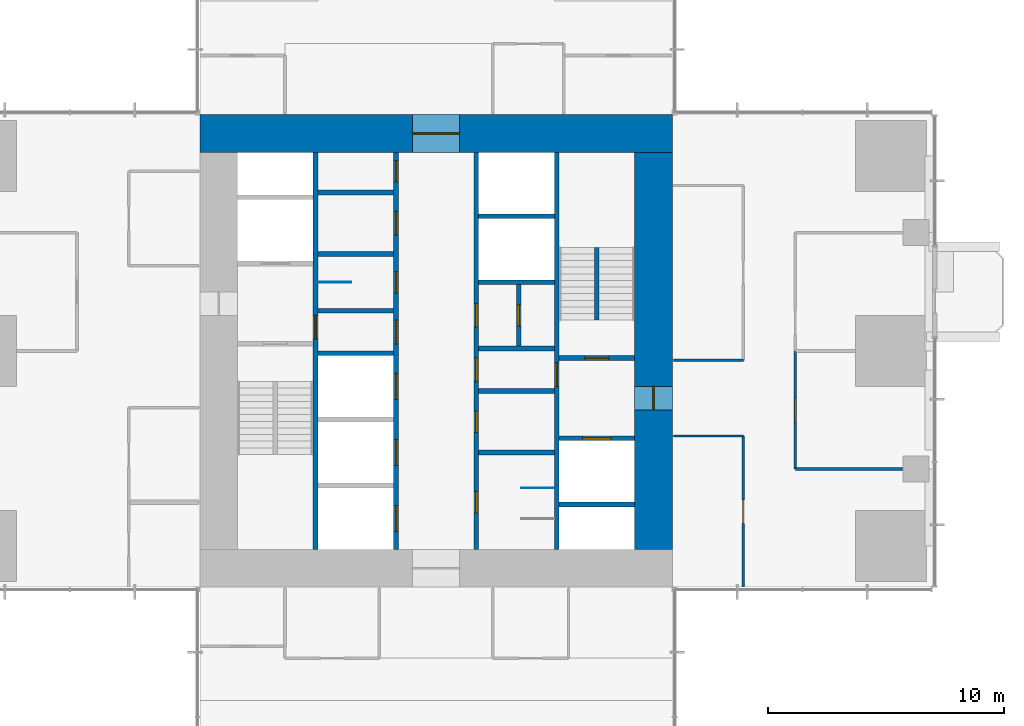
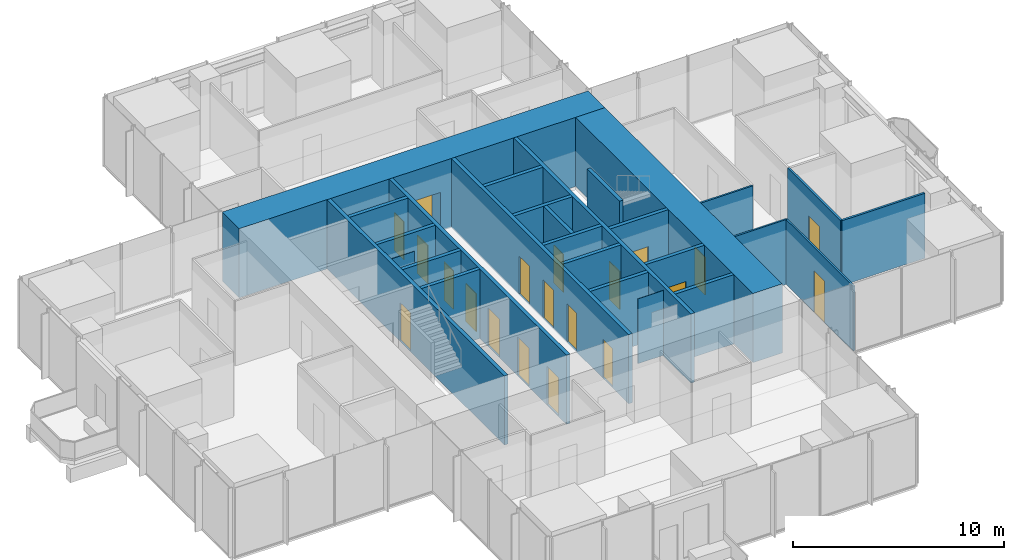
# One storey, part 9 of 13: 27 walls, 20 doors, 20 openings.
"""IFC4 building model written with IfcOpenShell, lengths in metres."""

from ifc_helpers import new_model, si_unit, direction, frame, frame_2d, origin, place, context, subcontext, project, spatial, rectangle, extrude, material, layer, layer_set, type_object, element, fill, save


model = new_model("IFC4")

# Units and contexts
model_context = context("Model", 3, precision=1e-05, world=origin(), true_north=direction((0.0, 1.0)))
body_context = subcontext(model_context, "Body", "Model", "MODEL_VIEW")
ifc_project = project(units=[si_unit("LENGTHUNIT", "METRE"), si_unit("AREAUNIT", "SQUARE_METRE"), si_unit("VOLUMEUNIT", "CUBIC_METRE"), si_unit("PLANEANGLEUNIT", "RADIAN"), si_unit("MASSUNIT", "GRAM", prefix="KILO")], contexts=[model_context])

# Site, building, storey
site_placement = place(None, origin())
site = spatial("IfcSite", under=ifc_project, at=site_placement, CompositionType="ELEMENT")
building_placement = place(site_placement, origin())
building = spatial("IfcBuilding", under=site, at=building_placement, Name="Svetlomir Tower", CompositionType="ELEMENT")
storey_placement = place(building_placement, frame((0.0, 0.0, 140.5)))
storey = spatial("IfcBuildingStorey", under=building, at=storey_placement, Name="L33", CompositionType="ELEMENT", Elevation=140.5)

# Wall, opening, door
ifc_material_1 = material(Name="Concrete C60/75", Category="concrete")
ifc_layer_1 = layer(ifc_material_1, 0.199951171875)
ifc_layer_set_1 = layer_set([ifc_layer_1], Name="Concrete C60/75")
wall_type_1 = type_object("IfcWallType", Name="CORE INNER WALL 200", PredefinedType="SHEAR", material=ifc_layer_set_1)
wall_1_placement = place(storey_placement, frame((15.89990234375, 12.60009765625, -0.050048828125), z_axis=(0.0, 0.0, 1.0), x_axis=(0.0, 1.0, 0.0)))
wall_1 = element("IfcWall", 1, at=wall_1_placement, inside=storey, type_object=wall_type_1, Name="Core inner wall 15.9 L33", PredefinedType="SHEAR", context=body_context, shape_type="SweptSolid", body=[
    extrude(rectangle(XDim=16.7998046875, YDim=0.199951171875, at=frame_2d((8.39990234375, 0.0))), origin(), (0.0, 0.0, 1.0), 4.0),
])
opening_1_placement = place(wall_1_placement, frame((8.89990234375, 0.0, 0.050048828125)))
opening_1 = element("IfcOpeningElement", 2, at=opening_1_placement, cuts=wall_1, Name="Opening DF", PredefinedType="OPENING", context=body_context, shape_type="SweptSolid", body=[
    extrude(rectangle(XDim=1.0, YDim=2.199951171875, at=frame_2d((0.5, 1.10009765625))), frame((0.0, 0.10986328125, 0.0), z_axis=(0.0, -1.0, 0.0), x_axis=(1.0, 0.0, 0.0)), (0.0, 0.0, 1.0), 0.219970703125),
])
ifc_material_2 = material(Name="Steel fire door", Category="steel")
door_type_1 = type_object("IfcDoorType", Name="DOOR DF 1000x2200", OperationType="SINGLE_SWING_LEFT", PredefinedType="DOOR", material=ifc_material_2)
door_1_placement = place(opening_1_placement, origin())
door_1 = element("IfcDoor", 3, at=door_1_placement, inside=storey, type_object=door_type_1, Name="Core corridor west door L33", OperationType="SINGLE_SWING_LEFT", OverallHeight=2.199951171875, OverallWidth=1.0, PredefinedType="DOOR", context=body_context, shape_type="SweptSolid", body=[
    extrude(rectangle(XDim=1.0, YDim=2.199951171875, at=frame_2d((0.5, 1.10009765625))), frame((0.0, 0.02490234375, 0.0), z_axis=(0.0, -1.0, 0.0), x_axis=(1.0, 0.0, 0.0)), (0.0, 0.0, 1.0), 0.050048828125),
])
fill(opening_1, door_1)

# Wall, openings, doors
wall_2_placement = place(storey_placement, frame((19.300048828125, 12.60009765625, -0.050048828125), z_axis=(0.0, 0.0, 1.0), x_axis=(0.0, 1.0, 0.0)))
wall_2 = element("IfcWall", 4, at=wall_2_placement, inside=storey, type_object=wall_type_1, Name="Core inner wall 19.3 L33", PredefinedType="SHEAR", context=body_context, shape_type="SweptSolid", body=[
    extrude(rectangle(XDim=16.7998046875, YDim=0.199951171875, at=frame_2d((8.39990234375, 0.0))), origin(), (0.0, 0.0, 1.0), 4.0),
])
opening_2_placement = place(wall_2_placement, frame((8.699951171875, 0.0, 0.050048828125)))
opening_2 = element("IfcOpeningElement", 5, at=opening_2_placement, cuts=wall_2, Name="Opening DC", PredefinedType="OPENING", context=body_context, shape_type="SweptSolid", body=[
    extrude(rectangle(XDim=1.0, YDim=2.199951171875, at=frame_2d((0.5, 1.10009765625))), frame((0.0, 0.10986328125, 0.0), z_axis=(0.0, -1.0, 0.0), x_axis=(1.0, 0.0, 0.0)), (0.0, 0.0, 1.0), 0.219970703125),
])
opening_3_placement = place(wall_2_placement, frame((10.85009765625, 0.0, 0.050048828125)))
opening_3 = element("IfcOpeningElement", 6, at=opening_3_placement, cuts=wall_2, Name="Opening DW", PredefinedType="OPENING", context=body_context, shape_type="SweptSolid", body=[
    extrude(rectangle(XDim=0.89990234375, YDim=2.199951171875, at=frame_2d((0.449951171875, 1.10009765625))), frame((0.0, 0.10986328125, 0.0), z_axis=(0.0, -1.0, 0.0), x_axis=(1.0, 0.0, 0.0)), (0.0, 0.0, 1.0), 0.219970703125),
])
opening_4_placement = place(wall_2_placement, frame((13.300048828125, 0.0, 0.050048828125)))
opening_4 = element("IfcOpeningElement", 7, at=opening_4_placement, cuts=wall_2, Name="Opening DC", PredefinedType="OPENING", context=body_context, shape_type="SweptSolid", body=[
    extrude(rectangle(XDim=1.0, YDim=2.199951171875, at=frame_2d((0.5, 1.10009765625))), frame((0.0, 0.10986328125, 0.0), z_axis=(0.0, -1.0, 0.0), x_axis=(1.0, 0.0, 0.0)), (0.0, 0.0, 1.0), 0.219970703125),
])
opening_5_placement = place(wall_2_placement, frame((15.550048828125, 0.0, 0.050048828125)))
opening_5 = element("IfcOpeningElement", 8, at=opening_5_placement, cuts=wall_2, Name="Opening DW", PredefinedType="OPENING", context=body_context, shape_type="SweptSolid", body=[
    extrude(rectangle(XDim=0.89990234375, YDim=2.199951171875, at=frame_2d((0.449951171875, 1.10009765625))), frame((0.0, 0.10986328125, 0.0), z_axis=(0.0, -1.0, 0.0), x_axis=(1.0, 0.0, 0.0)), (0.0, 0.0, 1.0), 0.219970703125),
])
opening_6_placement = place(wall_2_placement, frame((0.75, 0.0, 0.050048828125)))
opening_6 = element("IfcOpeningElement", 9, at=opening_6_placement, cuts=wall_2, Name="Opening LD", PredefinedType="OPENING", context=body_context, shape_type="SweptSolid", body=[
    extrude(rectangle(XDim=1.10009765625, YDim=2.199951171875, at=frame_2d((0.550048828125, 1.10009765625))), frame((0.0, 0.10986328125, 0.0), z_axis=(0.0, -1.0, 0.0), x_axis=(1.0, 0.0, 0.0)), (0.0, 0.0, 1.0), 0.219970703125),
])
opening_7_placement = place(wall_2_placement, frame((3.550048828125, 0.0, 0.050048828125)))
opening_7 = element("IfcOpeningElement", 10, at=opening_7_placement, cuts=wall_2, Name="Opening LD", PredefinedType="OPENING", context=body_context, shape_type="SweptSolid", body=[
    extrude(rectangle(XDim=1.10009765625, YDim=2.199951171875, at=frame_2d((0.550048828125, 1.10009765625))), frame((0.0, 0.10986328125, 0.0), z_axis=(0.0, -1.0, 0.0), x_axis=(1.0, 0.0, 0.0)), (0.0, 0.0, 1.0), 0.219970703125),
])
opening_8_placement = place(wall_2_placement, frame((6.35009765625, 0.0, 0.050048828125)))
opening_8 = element("IfcOpeningElement", 11, at=opening_8_placement, cuts=wall_2, Name="Opening LD", PredefinedType="OPENING", context=body_context, shape_type="SweptSolid", body=[
    extrude(rectangle(XDim=1.10009765625, YDim=2.199951171875, at=frame_2d((0.550048828125, 1.10009765625))), frame((0.0, 0.10986328125, 0.0), z_axis=(0.0, -1.0, 0.0), x_axis=(1.0, 0.0, 0.0)), (0.0, 0.0, 1.0), 0.219970703125),
])
ifc_material_3 = material(Name="Timber fire door", Category="wood")
door_type_2 = type_object("IfcDoorType", Name="DOOR DC 1000x2200", OperationType="SINGLE_SWING_LEFT", PredefinedType="DOOR", material=ifc_material_3)
door_2_placement = place(opening_2_placement, origin())
door_2 = element("IfcDoor", 12, at=door_2_placement, inside=storey, type_object=door_type_2, Name="Core corridor west lobby door L33", OperationType="SINGLE_SWING_LEFT", OverallHeight=2.199951171875, OverallWidth=1.0, PredefinedType="DOOR", context=body_context, shape_type="SweptSolid", body=[
    extrude(rectangle(XDim=1.0, YDim=2.199951171875, at=frame_2d((0.5, 1.10009765625))), frame((0.0, 0.02490234375, 0.0), z_axis=(0.0, -1.0, 0.0), x_axis=(1.0, 0.0, 0.0)), (0.0, 0.0, 1.0), 0.050048828125),
])
fill(opening_2, door_2)
door_3_placement = place(opening_4_placement, origin())
door_3 = element("IfcDoor", 13, at=door_3_placement, inside=storey, type_object=door_type_2, Name="Accessible WC door L33", OperationType="SINGLE_SWING_RIGHT", OverallHeight=2.199951171875, OverallWidth=1.0, PredefinedType="DOOR", context=body_context, shape_type="SweptSolid", body=[
    extrude(rectangle(XDim=1.0, YDim=2.199951171875, at=frame_2d((0.5, 1.10009765625))), frame((0.0, 0.02490234375, 0.0), z_axis=(0.0, -1.0, 0.0), x_axis=(1.0, 0.0, 0.0)), (0.0, 0.0, 1.0), 0.050048828125),
])
fill(opening_4, door_3)
ifc_material_4 = material(Name="Timber fire door", Category="wood")
door_type_3 = type_object("IfcDoorType", Name="DOOR DW 900x2200", OperationType="SINGLE_SWING_LEFT", PredefinedType="DOOR", material=ifc_material_4)
door_4_placement = place(opening_3_placement, origin())
door_4 = element("IfcDoor", 14, at=door_4_placement, inside=storey, type_object=door_type_3, Name="Female WC door L33", OperationType="SINGLE_SWING_LEFT", OverallHeight=2.199951171875, OverallWidth=0.89990234375, PredefinedType="DOOR", context=body_context, shape_type="SweptSolid", body=[
    extrude(rectangle(XDim=0.89990234375, YDim=2.199951171875, at=frame_2d((0.449951171875, 1.10009765625))), frame((0.0, 0.02490234375, 0.0), z_axis=(0.0, -1.0, 0.0), x_axis=(1.0, 0.0, 0.0)), (0.0, 0.0, 1.0), 0.050048828125),
])
fill(opening_3, door_4)
door_5_placement = place(opening_5_placement, origin())
door_5 = element("IfcDoor", 15, at=door_5_placement, inside=storey, type_object=door_type_3, Name="Tea point door L33", OperationType="SINGLE_SWING_LEFT", OverallHeight=2.199951171875, OverallWidth=0.89990234375, PredefinedType="DOOR", context=body_context, shape_type="SweptSolid", body=[
    extrude(rectangle(XDim=0.89990234375, YDim=2.199951171875, at=frame_2d((0.449951171875, 1.10009765625))), frame((0.0, 0.02490234375, 0.0), z_axis=(0.0, -1.0, 0.0), x_axis=(1.0, 0.0, 0.0)), (0.0, 0.0, 1.0), 0.050048828125),
])
fill(opening_5, door_5)
ifc_material_5 = material(Name="Stainless steel landing door", Category="steel")
door_type_4 = type_object("IfcDoorType", Name="LIFT LANDING DOOR LD 1100x2200", OperationType="DOUBLE_DOOR_SLIDING", PredefinedType="DOOR", material=ifc_material_5)
door_6_placement = place(opening_6_placement, origin())
door_6 = element("IfcDoor", 16, at=door_6_placement, inside=storey, type_object=door_type_4, Name="Landing door lift LB1 L33", OperationType="DOUBLE_DOOR_SLIDING", OverallHeight=2.199951171875, OverallWidth=1.10009765625, PredefinedType="DOOR", context=body_context, shape_type="SweptSolid", body=[
    extrude(rectangle(XDim=1.10009765625, YDim=2.199951171875, at=frame_2d((0.550048828125, 1.10009765625))), frame((0.0, 0.02490234375, 0.0), z_axis=(0.0, -1.0, 0.0), x_axis=(1.0, 0.0, 0.0)), (0.0, 0.0, 1.0), 0.050048828125),
])
fill(opening_6, door_6)
door_7_placement = place(opening_7_placement, origin())
door_7 = element("IfcDoor", 17, at=door_7_placement, inside=storey, type_object=door_type_4, Name="Landing door lift LB2 L33", OperationType="DOUBLE_DOOR_SLIDING", OverallHeight=2.199951171875, OverallWidth=1.10009765625, PredefinedType="DOOR", context=body_context, shape_type="SweptSolid", body=[
    extrude(rectangle(XDim=1.10009765625, YDim=2.199951171875, at=frame_2d((0.550048828125, 1.10009765625))), frame((0.0, 0.02490234375, 0.0), z_axis=(0.0, -1.0, 0.0), x_axis=(1.0, 0.0, 0.0)), (0.0, 0.0, 1.0), 0.050048828125),
])
fill(opening_7, door_7)
door_8_placement = place(opening_8_placement, origin())
door_8 = element("IfcDoor", 18, at=door_8_placement, inside=storey, type_object=door_type_4, Name="Landing door lift LB3 L33", OperationType="DOUBLE_DOOR_SLIDING", OverallHeight=2.199951171875, OverallWidth=1.10009765625, PredefinedType="DOOR", context=body_context, shape_type="SweptSolid", body=[
    extrude(rectangle(XDim=1.10009765625, YDim=2.199951171875, at=frame_2d((0.550048828125, 1.10009765625))), frame((0.0, 0.02490234375, 0.0), z_axis=(0.0, -1.0, 0.0), x_axis=(1.0, 0.0, 0.0)), (0.0, 0.0, 1.0), 0.050048828125),
])
fill(opening_8, door_8)

wall_3_placement = place(storey_placement, frame((22.699951171875, 12.60009765625, -0.050048828125), z_axis=(0.0, 0.0, 1.0), x_axis=(0.0, 1.0, 0.0)))
wall_3 = element("IfcWall", 19, at=wall_3_placement, inside=storey, type_object=wall_type_1, Name="Core inner wall 22.7 L33", PredefinedType="SHEAR", context=body_context, shape_type="SweptSolid", body=[
    extrude(rectangle(XDim=16.7998046875, YDim=0.199951171875, at=frame_2d((8.39990234375, 0.0))), origin(), (0.0, 0.0, 1.0), 4.0),
])
opening_9_placement = place(wall_3_placement, frame((7.10009765625, 0.0, 0.050048828125)))
opening_9 = element("IfcOpeningElement", 20, at=opening_9_placement, cuts=wall_3, Name="Opening DC", PredefinedType="OPENING", context=body_context, shape_type="SweptSolid", body=[
    extrude(rectangle(XDim=1.0, YDim=2.199951171875, at=frame_2d((0.5, 1.10009765625))), frame((0.0, 0.10986328125, 0.0), z_axis=(0.0, -1.0, 0.0), x_axis=(1.0, 0.0, 0.0)), (0.0, 0.0, 1.0), 0.219970703125),
])
opening_10_placement = place(wall_3_placement, frame((1.550048828125, 0.0, 0.050048828125)))
opening_10 = element("IfcOpeningElement", 21, at=opening_10_placement, cuts=wall_3, Name="Opening DW", PredefinedType="OPENING", context=body_context, shape_type="SweptSolid", body=[
    extrude(rectangle(XDim=0.89990234375, YDim=2.199951171875, at=frame_2d((0.449951171875, 1.10009765625))), frame((0.0, 0.10986328125, 0.0), z_axis=(0.0, -1.0, 0.0), x_axis=(1.0, 0.0, 0.0)), (0.0, 0.0, 1.0), 0.219970703125),
])
opening_11_placement = place(wall_3_placement, frame((4.949951171875, 0.0, 0.050048828125)))
opening_11 = element("IfcOpeningElement", 22, at=opening_11_placement, cuts=wall_3, Name="Opening DW", PredefinedType="OPENING", context=body_context, shape_type="SweptSolid", body=[
    extrude(rectangle(XDim=0.89990234375, YDim=2.199951171875, at=frame_2d((0.449951171875, 1.10009765625))), frame((0.0, 0.10986328125, 0.0), z_axis=(0.0, -1.0, 0.0), x_axis=(1.0, 0.0, 0.0)), (0.0, 0.0, 1.0), 0.219970703125),
])
opening_12_placement = place(wall_3_placement, frame((9.39990234375, 0.0, 0.050048828125)))
opening_12 = element("IfcOpeningElement", 23, at=opening_12_placement, cuts=wall_3, Name="Opening DC", PredefinedType="OPENING", context=body_context, shape_type="SweptSolid", body=[
    extrude(rectangle(XDim=1.0, YDim=2.199951171875, at=frame_2d((0.5, 1.10009765625))), frame((0.0, 0.10986328125, 0.0), z_axis=(0.0, -1.0, 0.0), x_axis=(1.0, 0.0, 0.0)), (0.0, 0.0, 1.0), 0.219970703125),
])
door_9_placement = place(opening_9_placement, origin())
door_9 = element("IfcDoor", 24, at=door_9_placement, inside=storey, type_object=door_type_2, Name="Core corridor east lobby door L33", OperationType="SINGLE_SWING_RIGHT", OverallHeight=2.199951171875, OverallWidth=1.0, PredefinedType="DOOR", context=body_context, shape_type="SweptSolid", body=[
    extrude(rectangle(XDim=1.0, YDim=2.199951171875, at=frame_2d((0.5, 1.10009765625))), frame((0.0, 0.02490234375, 0.0), z_axis=(0.0, -1.0, 0.0), x_axis=(1.0, 0.0, 0.0)), (0.0, 0.0, 1.0), 0.050048828125),
])
fill(opening_9, door_9)
door_10_placement = place(opening_12_placement, origin())
door_10 = element("IfcDoor", 25, at=door_10_placement, inside=storey, type_object=door_type_2, Name="Converted shaft BANK-E1 room door L33", OperationType="SINGLE_SWING_RIGHT", OverallHeight=2.199951171875, OverallWidth=1.0, PredefinedType="DOOR", context=body_context, shape_type="SweptSolid", body=[
    extrude(rectangle(XDim=1.0, YDim=2.199951171875, at=frame_2d((0.5, 1.10009765625))), frame((0.0, 0.02490234375, 0.0), z_axis=(0.0, -1.0, 0.0), x_axis=(1.0, 0.0, 0.0)), (0.0, 0.0, 1.0), 0.050048828125),
])
fill(opening_12, door_10)
door_11_placement = place(opening_10_placement, origin())
door_11 = element("IfcDoor", 26, at=door_11_placement, inside=storey, type_object=door_type_3, Name="Male WC door L33", OperationType="SINGLE_SWING_RIGHT", OverallHeight=2.199951171875, OverallWidth=0.89990234375, PredefinedType="DOOR", context=body_context, shape_type="SweptSolid", body=[
    extrude(rectangle(XDim=0.89990234375, YDim=2.199951171875, at=frame_2d((0.449951171875, 1.10009765625))), frame((0.0, 0.02490234375, 0.0), z_axis=(0.0, -1.0, 0.0), x_axis=(1.0, 0.0, 0.0)), (0.0, 0.0, 1.0), 0.050048828125),
])
fill(opening_10, door_11)
door_12_placement = place(opening_11_placement, origin())
door_12 = element("IfcDoor", 27, at=door_12_placement, inside=storey, type_object=door_type_3, Name="Comms room door L33", OperationType="SINGLE_SWING_LEFT", OverallHeight=2.199951171875, OverallWidth=0.89990234375, PredefinedType="DOOR", context=body_context, shape_type="SweptSolid", body=[
    extrude(rectangle(XDim=0.89990234375, YDim=2.199951171875, at=frame_2d((0.449951171875, 1.10009765625))), frame((0.0, 0.02490234375, 0.0), z_axis=(0.0, -1.0, 0.0), x_axis=(1.0, 0.0, 0.0)), (0.0, 0.0, 1.0), 0.050048828125),
])
fill(opening_11, door_12)

# Wall, opening, door
wall_4_placement = place(storey_placement, frame((26.10009765625, 12.60009765625, -0.050048828125), z_axis=(0.0, 0.0, 1.0), x_axis=(0.0, 1.0, 0.0)))
wall_4 = element("IfcWall", 28, at=wall_4_placement, inside=storey, type_object=wall_type_1, Name="Core inner wall 26.1 L33", PredefinedType="SHEAR", context=body_context, shape_type="SweptSolid", body=[
    extrude(rectangle(XDim=16.7998046875, YDim=0.199951171875, at=frame_2d((8.39990234375, 0.0))), origin(), (0.0, 0.0, 1.0), 4.0),
])
opening_13_placement = place(wall_4_placement, frame((6.89990234375, 0.0, 0.050048828125)))
opening_13 = element("IfcOpeningElement", 29, at=opening_13_placement, cuts=wall_4, Name="Opening DF", PredefinedType="OPENING", context=body_context, shape_type="SweptSolid", body=[
    extrude(rectangle(XDim=1.0, YDim=2.199951171875, at=frame_2d((0.5, 1.10009765625))), frame((0.0, 0.10986328125, 0.0), z_axis=(0.0, -1.0, 0.0), x_axis=(1.0, 0.0, 0.0)), (0.0, 0.0, 1.0), 0.219970703125),
])
door_13_placement = place(opening_13_placement, origin())
door_13 = element("IfcDoor", 30, at=door_13_placement, inside=storey, type_object=door_type_1, Name="Core corridor east door L33", OperationType="SINGLE_SWING_LEFT", OverallHeight=2.199951171875, OverallWidth=1.0, PredefinedType="DOOR", context=body_context, shape_type="SweptSolid", body=[
    extrude(rectangle(XDim=1.0, YDim=2.199951171875, at=frame_2d((0.5, 1.10009765625))), frame((0.0, 0.02490234375, 0.0), z_axis=(0.0, -1.0, 0.0), x_axis=(1.0, 0.0, 0.0)), (0.0, 0.0, 1.0), 0.050048828125),
])
fill(opening_13, door_13)

# Walls
for number, where, z_axis, x_axis, name in (
    (31, (16.0, 20.89990234375, -0.050048828125), (0.0, 0.0, 1.0), (1.0, 0.0, 0.0), "Core inner wall 16-19.2/20.9 L33"),
    (32, (16.0, 22.699951171875, -0.050048828125), (0.0, 0.0, 1.0), (1.0, 0.0, 0.0), "Core inner wall 16-19.2/22.7 L33"),
    (33, (16.0, 25.10009765625, -0.050048828125), (0.0, 0.0, 1.0), (1.0, 0.0, 0.0), "Core inner wall 16-19.2/25.1 L33"),
    (34, (16.0, 27.699951171875, -0.050048828125), (0.0, 0.0, 1.0), (1.0, 0.0, 0.0), "Core inner wall 16-19.2/27.7 L33"),
    (35, (22.800048828125, 16.699951171875, -0.050048828125), (0.0, 0.0, 1.0), (1.0, 0.0, 0.0), "Core inner wall 22.8-26/16.7 L33"),
    (36, (22.800048828125, 19.300048828125, -0.050048828125), (0.0, 0.0, 1.0), (1.0, 0.0, 0.0), "Core inner wall 22.8-26/19.3 L33"),
    (37, (22.800048828125, 21.10009765625, -0.050048828125), (0.0, 0.0, 1.0), (1.0, 0.0, 0.0), "Core inner wall 22.8-26/21.1 L33"),
    (38, (22.800048828125, 23.89990234375, -0.050048828125), (0.0, 0.0, 1.0), (1.0, 0.0, 0.0), "Core inner wall 22.8-26/23.9 L33"),
    (39, (22.800048828125, 26.699951171875, -0.050048828125), (0.0, 0.0, 1.0), (1.0, 0.0, 0.0), "Core inner wall 22.8-26/26.7 L33"),
    (40, (26.199951171875, 14.5, -0.050048828125), (0.0, 0.0, 1.0), (1.0, 0.0, 0.0), "Core inner wall 26.2-29.4/14.5 L33"),
):
    element("IfcWall", number, at=place(storey_placement, frame(where, z_axis=z_axis, x_axis=x_axis)), inside=storey, type_object=wall_type_1, Name=name, PredefinedType="SHEAR", context=body_context, shape_type="SweptSolid", body=[
        extrude(rectangle(XDim=3.199951171875, YDim=0.199951171875, at=frame_2d((1.60009765625, 0.0))), origin(), (0.0, 0.0, 1.0), 4.0),
    ])

# Wall, opening, door
wall_5_placement = place(storey_placement, frame((26.199951171875, 17.300048828125, -0.050048828125), z_axis=(0.0, 0.0, 1.0), x_axis=(1.0, 0.0, 0.0)))
wall_5 = element("IfcWall", 41, at=wall_5_placement, inside=storey, type_object=wall_type_1, Name="Core inner wall 26.2-29.4/17.3 L33", PredefinedType="SHEAR", context=body_context, shape_type="SweptSolid", body=[
    extrude(rectangle(XDim=3.199951171875, YDim=0.199951171875, at=frame_2d((1.60009765625, 0.0))), origin(), (0.0, 0.0, 1.0), 4.0),
])
opening_14_placement = place(wall_5_placement, frame((1.0, 0.0, 0.050048828125)))
opening_14 = element("IfcOpeningElement", 42, at=opening_14_placement, cuts=wall_5, Name="Opening LD3", PredefinedType="OPENING", context=body_context, shape_type="SweptSolid", body=[
    extrude(rectangle(XDim=1.199951171875, YDim=2.199951171875, at=frame_2d((0.60009765625, 1.10009765625))), frame((0.0, 0.10986328125, 0.0), z_axis=(0.0, -1.0, 0.0), x_axis=(1.0, 0.0, 0.0)), (0.0, 0.0, 1.0), 0.219970703125),
])
ifc_material_6 = material(Name="Stainless steel fire-rated landing door", Category="steel")
door_type_5 = type_object("IfcDoorType", Name="FIREFIGHTING LIFT LANDING DOOR LD3 1200x2200", OperationType="DOUBLE_DOOR_SLIDING", PredefinedType="DOOR", material=ifc_material_6)
door_14_placement = place(opening_14_placement, origin())
door_14 = element("IfcDoor", 43, at=door_14_placement, inside=storey, type_object=door_type_5, Name="Landing door lift FL2 L33", OperationType="DOUBLE_DOOR_SLIDING", OverallHeight=2.199951171875, OverallWidth=1.199951171875, PredefinedType="DOOR", context=body_context, shape_type="SweptSolid", body=[
    extrude(rectangle(XDim=1.199951171875, YDim=2.199951171875, at=frame_2d((0.60009765625, 1.10009765625))), frame((0.0, 0.02490234375, 0.0), z_axis=(0.0, -1.0, 0.0), x_axis=(1.0, 0.0, 0.0)), (0.0, 0.0, 1.0), 0.050048828125),
])
fill(opening_14, door_14)

wall_6_placement = place(storey_placement, frame((26.199951171875, 20.699951171875, -0.050048828125), z_axis=(0.0, 0.0, 1.0), x_axis=(1.0, 0.0, 0.0)))
wall_6 = element("IfcWall", 44, at=wall_6_placement, inside=storey, type_object=wall_type_1, Name="Core inner wall 26.2-29.4/20.7 L33", PredefinedType="SHEAR", context=body_context, shape_type="SweptSolid", body=[
    extrude(rectangle(XDim=3.199951171875, YDim=0.199951171875, at=frame_2d((1.60009765625, 0.0))), origin(), (0.0, 0.0, 1.0), 4.0),
])
opening_15_placement = place(wall_6_placement, frame((1.10009765625, 0.0, 0.050048828125)))
opening_15 = element("IfcOpeningElement", 45, at=opening_15_placement, cuts=wall_6, Name="Opening DF", PredefinedType="OPENING", context=body_context, shape_type="SweptSolid", body=[
    extrude(rectangle(XDim=1.0, YDim=2.199951171875, at=frame_2d((0.5, 1.10009765625))), frame((0.0, 0.10986328125, 0.0), z_axis=(0.0, -1.0, 0.0), x_axis=(1.0, 0.0, 0.0)), (0.0, 0.0, 1.0), 0.219970703125),
])
door_15_placement = place(opening_15_placement, origin())
door_15 = element("IfcDoor", 46, at=door_15_placement, inside=storey, type_object=door_type_1, Name="Stair S2 door L33", OperationType="SINGLE_SWING_RIGHT", OverallHeight=2.199951171875, OverallWidth=1.0, PredefinedType="DOOR", context=body_context, shape_type="SweptSolid", body=[
    extrude(rectangle(XDim=1.0, YDim=2.199951171875, at=frame_2d((0.5, 1.10009765625))), frame((0.0, 0.02490234375, 0.0), z_axis=(0.0, -1.0, 0.0), x_axis=(1.0, 0.0, 0.0)), (0.0, 0.0, 1.0), 0.050048828125),
])
fill(opening_15, door_15)

wall_7_placement = place(storey_placement, frame((24.5, 21.199951171875, -0.050048828125), z_axis=(0.0, 0.0, 1.0), x_axis=(0.0, 1.0, 0.0)))
wall_7 = element("IfcWall", 47, at=wall_7_placement, inside=storey, type_object=wall_type_1, Name="Core inner wall 24.5/21.2-23.8 L33", PredefinedType="SHEAR", context=body_context, shape_type="SweptSolid", body=[
    extrude(rectangle(XDim=2.60009765625, YDim=0.199951171875, at=frame_2d((1.300048828125, 0.0))), origin(), (0.0, 0.0, 1.0), 4.0),
])
opening_16_placement = place(wall_7_placement, frame((0.85009765625, 0.0, 0.050048828125)))
opening_16 = element("IfcOpeningElement", 48, at=opening_16_placement, cuts=wall_7, Name="Opening DW", PredefinedType="OPENING", context=body_context, shape_type="SweptSolid", body=[
    extrude(rectangle(XDim=0.89990234375, YDim=2.199951171875, at=frame_2d((0.449951171875, 1.10009765625))), frame((0.0, 0.10986328125, 0.0), z_axis=(0.0, -1.0, 0.0), x_axis=(1.0, 0.0, 0.0)), (0.0, 0.0, 1.0), 0.219970703125),
])
door_16_placement = place(opening_16_placement, origin())
door_16 = element("IfcDoor", 49, at=door_16_placement, inside=storey, type_object=door_type_3, Name="Converted shaft BANK-E1 back room door L33", OperationType="SINGLE_SWING_LEFT", OverallHeight=2.199951171875, OverallWidth=0.89990234375, PredefinedType="DOOR", context=body_context, shape_type="SweptSolid", body=[
    extrude(rectangle(XDim=0.89990234375, YDim=2.199951171875, at=frame_2d((0.449951171875, 1.10009765625))), frame((0.0, 0.02490234375, 0.0), z_axis=(0.0, -1.0, 0.0), x_axis=(1.0, 0.0, 0.0)), (0.0, 0.0, 1.0), 0.050048828125),
])
fill(opening_16, door_16)

ifc_material_7 = material(Name="Concrete C60/75", Category="concrete")
ifc_layer_2 = layer(ifc_material_7, 1.60009765625)
ifc_layer_set_2 = layer_set([ifc_layer_2], Name="Concrete C60/75")
wall_type_2 = type_object("IfcWallType", Name="CORE WALL 1600", PredefinedType="SHEAR", material=ifc_layer_set_2)
wall_8_placement = place(storey_placement, frame((11.0, 30.199951171875, -0.050048828125), z_axis=(0.0, 0.0, 1.0), x_axis=(1.0, 0.0, 0.0)))
wall_8 = element("IfcWall", 50, at=wall_8_placement, inside=storey, type_object=wall_type_2, Name="Core wall north L33", PredefinedType="SHEAR", context=body_context, shape_type="SweptSolid", body=[
    extrude(rectangle(XDim=20.0, YDim=1.60009765625, at=frame_2d((10.0, 0.0))), origin(), (0.0, 0.0, 1.0), 4.0),
])
opening_17_placement = place(wall_8_placement, frame((9.0, 0.0, 0.050048828125)))
opening_17 = element("IfcOpeningElement", 51, at=opening_17_placement, cuts=wall_8, Name="Opening DL", PredefinedType="OPENING", context=body_context, shape_type="SweptSolid", body=[
    extrude(rectangle(XDim=2.0, YDim=2.199951171875, at=frame_2d((1.0, 1.10009765625))), frame((0.0, 0.81005859375, 0.0), z_axis=(0.0, -1.0, 0.0), x_axis=(1.0, 0.0, 0.0)), (0.0, 0.0, 1.0), 1.6201171875),
])
ifc_material_8 = material(Name="Steel fire door", Category="steel")
door_type_6 = type_object("IfcDoorType", Name="DOOR DL 2000x2200", OperationType="DOUBLE_DOOR_SINGLE_SWING", PredefinedType="DOOR", material=ifc_material_8)
door_17_placement = place(opening_17_placement, origin())
door_17 = element("IfcDoor", 52, at=door_17_placement, inside=storey, type_object=door_type_6, Name="Lift lobby north door L33", OperationType="DOUBLE_DOOR_SINGLE_SWING", OverallHeight=2.199951171875, OverallWidth=2.0, PredefinedType="DOOR", context=body_context, shape_type="SweptSolid", body=[
    extrude(rectangle(XDim=2.0, YDim=2.199951171875, at=frame_2d((1.0, 1.10009765625))), frame((0.0, 0.02490234375, 0.0), z_axis=(0.0, -1.0, 0.0), x_axis=(1.0, 0.0, 0.0)), (0.0, 0.0, 1.0), 0.050048828125),
])
fill(opening_17, door_17)

wall_9_placement = place(storey_placement, frame((30.199951171875, 12.60009765625, -0.050048828125), z_axis=(0.0, 0.0, 1.0), x_axis=(0.0, 1.0, 0.0)))
wall_9 = element("IfcWall", 53, at=wall_9_placement, inside=storey, type_object=wall_type_2, Name="Core wall east L33", PredefinedType="SHEAR", context=body_context, shape_type="SweptSolid", body=[
    extrude(rectangle(XDim=16.7998046875, YDim=1.60009765625, at=frame_2d((8.39990234375, 0.0))), origin(), (0.0, 0.0, 1.0), 4.0),
])
opening_18_placement = place(wall_9_placement, frame((5.89990234375, 0.0, 0.050048828125)))
opening_18 = element("IfcOpeningElement", 54, at=opening_18_placement, cuts=wall_9, Name="Opening DF", PredefinedType="OPENING", context=body_context, shape_type="SweptSolid", body=[
    extrude(rectangle(XDim=1.0, YDim=2.199951171875, at=frame_2d((0.5, 1.10009765625))), frame((0.0, 0.81005859375, 0.0), z_axis=(0.0, -1.0, 0.0), x_axis=(1.0, 0.0, 0.0)), (0.0, 0.0, 1.0), 1.6201171875),
])
door_18_placement = place(opening_18_placement, origin())
door_18 = element("IfcDoor", 55, at=door_18_placement, inside=storey, type_object=door_type_1, Name="Firefighting lobby east door L33", OperationType="SINGLE_SWING_RIGHT", OverallHeight=2.199951171875, OverallWidth=1.0, PredefinedType="DOOR", context=body_context, shape_type="SweptSolid", body=[
    extrude(rectangle(XDim=1.0, YDim=2.199951171875, at=frame_2d((0.5, 1.10009765625))), frame((0.0, 0.02490234375, 0.0), z_axis=(0.0, -1.0, 0.0), x_axis=(1.0, 0.0, 0.0)), (0.0, 0.0, 1.0), 0.050048828125),
])
fill(opening_18, door_18)

# Walls
ifc_material_9 = material(Name="Framed laminated glass partition", Category="glass")
ifc_layer_3 = layer(ifc_material_9, 0.10009765625)
ifc_layer_set_3 = layer_set([ifc_layer_3], Name="Framed laminated glass partition")
wall_type_3 = type_object("IfcWallType", Name="GLAZED PARTITION 100", PredefinedType="PARTITIONING", material=ifc_layer_set_3)
for number, where, z_axis, x_axis, name in (
    (56, (31.050048828125, 17.39990234375, 0.0), (0.0, 0.0, 1.0), (1.0, 0.0, 0.0), "Glazed partition L33"),
    (57, (31.050048828125, 20.60009765625, 0.0), (0.0, 0.0, 1.0), (1.0, 0.0, 0.0), "Glazed partition L33"),
):
    element("IfcWall", number, at=place(storey_placement, frame(where, z_axis=z_axis, x_axis=x_axis)), inside=storey, type_object=wall_type_3, Name=name, PredefinedType="PARTITIONING", context=body_context, shape_type="SweptSolid", body=[
        extrude(rectangle(XDim=2.949951171875, YDim=0.10009765625, at=frame_2d((1.47509765625, 0.0))), origin(), (0.0, 0.0, 1.0), 3.75),
    ])

# Wall, opening, door
wall_10_placement = place(storey_placement, frame((34.0, 11.0, 0.0), z_axis=(0.0, 0.0, 1.0), x_axis=(0.0, 1.0, 0.0)))
wall_10 = element("IfcWall", 58, at=wall_10_placement, inside=storey, type_object=wall_type_3, Name="Glazed partition L33", PredefinedType="PARTITIONING", context=body_context, shape_type="SweptSolid", body=[
    extrude(rectangle(XDim=6.39990234375, YDim=0.10009765625, at=frame_2d((3.199951171875, 0.0))), origin(), (0.0, 0.0, 1.0), 3.75),
])
opening_19_placement = place(wall_10_placement, frame((2.699951171875, 0.0, 0.0)))
opening_19 = element("IfcOpeningElement", 59, at=opening_19_placement, cuts=wall_10, Name="Opening DG", PredefinedType="OPENING", context=body_context, shape_type="SweptSolid", body=[
    extrude(rectangle(XDim=1.0, YDim=2.39990234375, at=frame_2d((0.5, 1.199951171875))), frame((0.0, 0.06005859375, 0.0), z_axis=(0.0, -1.0, 0.0), x_axis=(1.0, 0.0, 0.0)), (0.0, 0.0, 1.0), 0.1201171875),
])
ifc_material_10 = material(Name="Framed laminated glass door", Category="glass")
door_type_7 = type_object("IfcDoorType", Name="GLAZED DOOR DG 1000x2400", OperationType="SINGLE_SWING_LEFT", PredefinedType="DOOR", material=ifc_material_10)
door_19_placement = place(opening_19_placement, origin())
door_19 = element("IfcDoor", 60, at=door_19_placement, inside=storey, type_object=door_type_7, Name="Drawing review room, 12 seats door L33", OperationType="SINGLE_SWING_LEFT", OverallHeight=2.39990234375, OverallWidth=1.0, PredefinedType="DOOR", context=body_context, shape_type="SweptSolid", body=[
    extrude(rectangle(XDim=1.0, YDim=2.39990234375, at=frame_2d((0.5, 1.199951171875))), frame((0.0, 0.02490234375, 0.0), z_axis=(0.0, -1.0, 0.0), x_axis=(1.0, 0.0, 0.0)), (0.0, 0.0, 1.0), 0.050048828125),
])
fill(opening_19, door_19)

ifc_material_11 = material(Name="Gypsum board on steel studs", Category="steel")
ifc_layer_4 = layer(ifc_material_11, 0.1201171875)
ifc_layer_set_4 = layer_set([ifc_layer_4], Name="Gypsum board on steel studs")
wall_type_4 = type_object("IfcWallType", Name="PARTITION 120", PredefinedType="PARTITIONING", material=ifc_layer_set_4)
wall_11_placement = place(storey_placement, frame((36.199951171875, 16.0, 0.0), z_axis=(0.0, 0.0, 1.0), x_axis=(0.0, 1.0, 0.0)))
wall_11 = element("IfcWall", 61, at=wall_11_placement, inside=storey, type_object=wall_type_4, Name="Partition L33", PredefinedType="PARTITIONING", context=body_context, shape_type="SweptSolid", body=[
    extrude(rectangle(XDim=5.0, YDim=0.1201171875, at=frame_2d((2.5, 0.0))), origin(), (0.0, 0.0, 1.0), 3.75),
])
opening_20_placement = place(wall_11_placement, frame((2.0, 0.0, 0.0)))
opening_20 = element("IfcOpeningElement", 62, at=opening_20_placement, cuts=wall_11, Name="Opening DR", PredefinedType="OPENING", context=body_context, shape_type="SweptSolid", body=[
    extrude(rectangle(XDim=1.0, YDim=2.199951171875, at=frame_2d((0.5, 1.10009765625))), frame((0.0, 0.070068359375, 0.0), z_axis=(0.0, -1.0, 0.0), x_axis=(1.0, 0.0, 0.0)), (0.0, 0.0, 1.0), 0.14013671875),
])
ifc_material_12 = material(Name="Timber door, glazed side light", Category="wood")
door_type_8 = type_object("IfcDoorType", Name="DOOR DR 1000x2200", OperationType="SINGLE_SWING_LEFT", PredefinedType="DOOR", material=ifc_material_12)
door_20_placement = place(opening_20_placement, origin())
door_20 = element("IfcDoor", 63, at=door_20_placement, inside=storey, type_object=door_type_8, Name="Head of real estate office door L33", OperationType="SINGLE_SWING_LEFT", OverallHeight=2.199951171875, OverallWidth=1.0, PredefinedType="DOOR", context=body_context, shape_type="SweptSolid", body=[
    extrude(rectangle(XDim=1.0, YDim=2.199951171875, at=frame_2d((0.5, 1.10009765625))), frame((0.0, 0.02490234375, 0.0), z_axis=(0.0, -1.0, 0.0), x_axis=(1.0, 0.0, 0.0)), (0.0, 0.0, 1.0), 0.050048828125),
])
fill(opening_20, door_20)

# Walls
wall_12_placement = place(storey_placement, frame((36.199951171875, 16.0, 0.0), z_axis=(0.0, 0.0, 1.0), x_axis=(1.0, 0.0, 0.0)))
element("IfcWall", 64, at=wall_12_placement, inside=storey, type_object=wall_type_4, Name="Partition L33", PredefinedType="PARTITIONING", context=body_context, shape_type="SweptSolid", body=[
    extrude(rectangle(XDim=4.5400390625, YDim=0.1201171875, at=frame_2d((2.27001953125, 0.0))), origin(), (0.0, 0.0, 1.0), 3.75),
])
ifc_material_13 = material(Name="Concrete C60/75", Category="concrete")
ifc_layer_5 = layer(ifc_material_13, 0.199951171875)
ifc_layer_set_5 = layer_set([ifc_layer_5], Name="Concrete C60/75")
wall_type_5 = type_object("IfcWallType", Name="STAIR SPINE WALL 200", PredefinedType="PARTITIONING", material=ifc_layer_set_5)
wall_13_placement = place(storey_placement, frame((27.800048828125, 22.300048828125, 0.0), z_axis=(0.0, 0.0, 1.0), x_axis=(0.0, 1.0, 0.0)))
element("IfcWall", 65, at=wall_13_placement, inside=storey, type_object=wall_type_5, Name="Stair S2 spine wall L33", PredefinedType="PARTITIONING", context=body_context, shape_type="SweptSolid", body=[
    extrude(rectangle(XDim=3.079833984375, YDim=0.199951171875, at=frame_2d((1.5400390625, 0.0))), origin(), (0.0, 0.0, 1.0), 4.0),
])
ifc_material_14 = material(Name="Compact laminate panel", Category="plastic")
ifc_layer_6 = layer(ifc_material_14, 0.030029296875)
ifc_layer_set_6 = layer_set([ifc_layer_6], Name="Compact laminate panel")
wall_type_6 = type_object("IfcWallType", Name="WC CUBICLE PARTITION 30", PredefinedType="PARTITIONING", material=ifc_layer_set_6)
for number, where, z_axis, x_axis, name in (
    (66, (24.60009765625, 15.199951171875, 0.0), (0.0, 0.0, 1.0), (1.0, 0.0, 0.0), "WC cubicle partition L33"),
    (67, (16.0, 23.89990234375, 0.0), (0.0, 0.0, 1.0), (1.0, 0.0, 0.0), "WC cubicle partition L33"),
):
    element("IfcWall", number, at=place(storey_placement, frame(where, z_axis=z_axis, x_axis=x_axis)), inside=storey, type_object=wall_type_6, Name=name, PredefinedType="PARTITIONING", context=body_context, shape_type="SweptSolid", body=[
        extrude(rectangle(XDim=1.39990234375, YDim=0.030029296875, at=frame_2d((0.699951171875, 0.0))), origin(), (0.0, 0.0, 1.0), 3.75),
    ])

save(model, "model.ifc")
